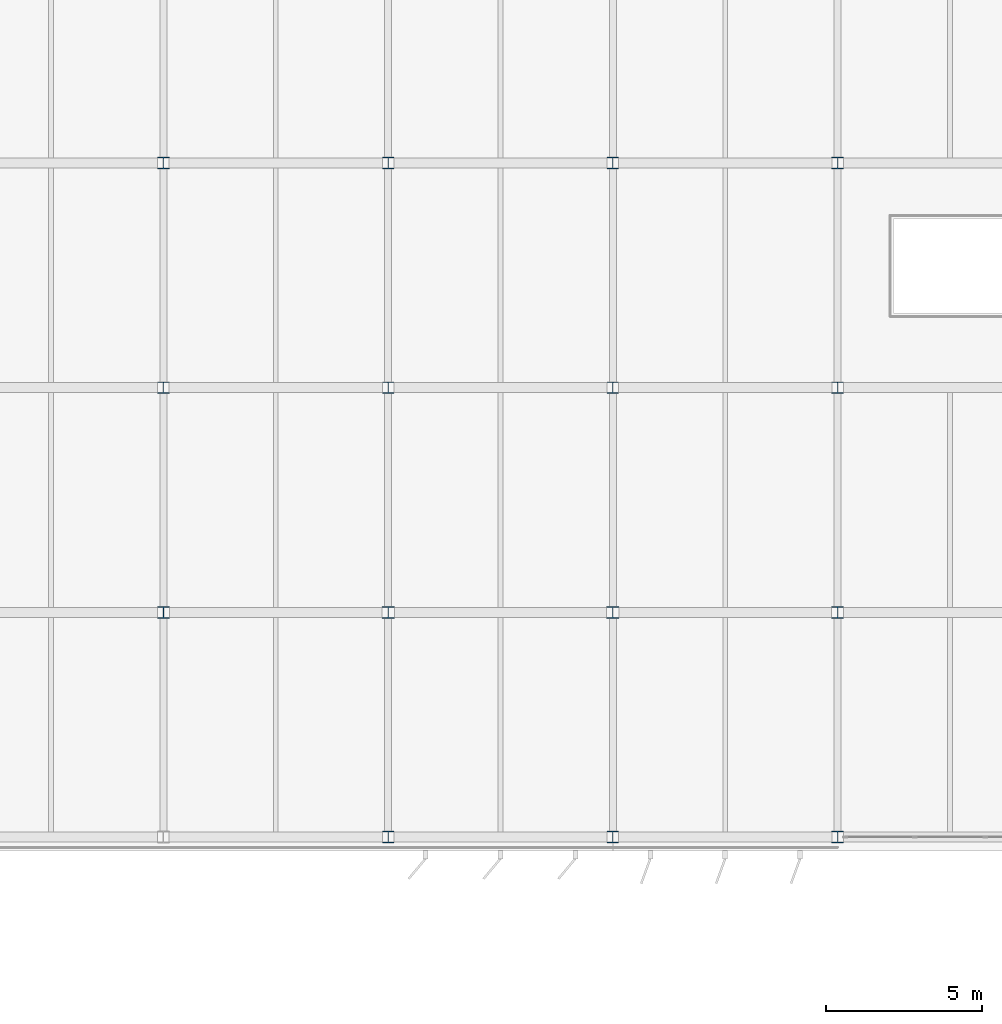
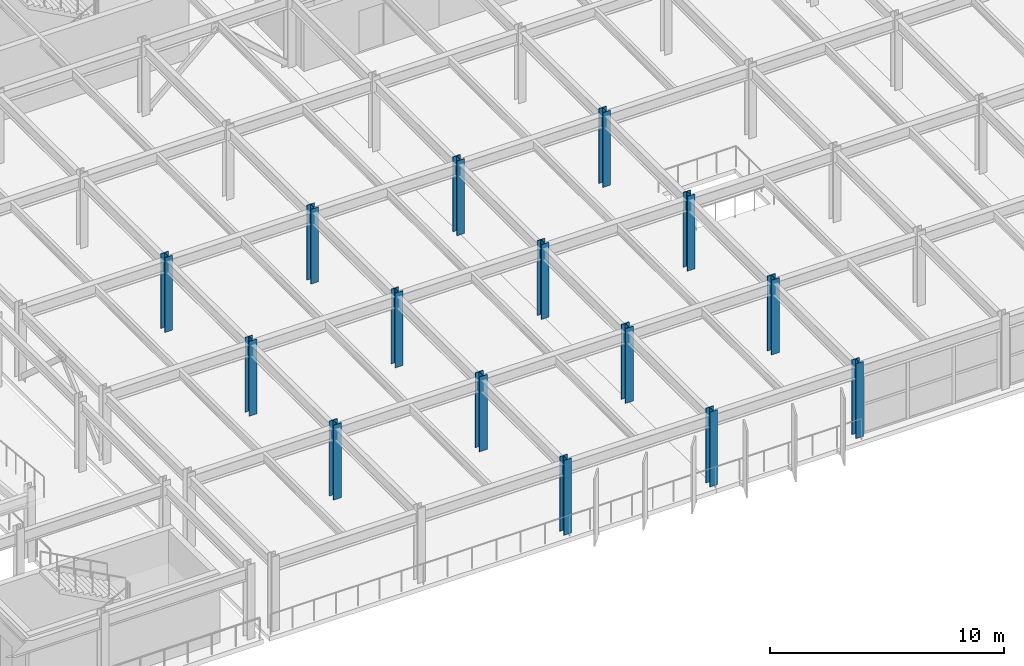
# One storey, part 2 of 80: 15 columns.
"""IFC4 building model written with IfcOpenShell, lengths in metres."""

from ifc_helpers import new_model, si_unit, direction, frame, origin, origin_2d, place, context, subcontext, project, spatial, i_section, extrude, material, material_profile, profile_set, type_object, element, save


model = new_model("IFC4")

# Units and contexts
model_context = context("Model", 3, precision=1e-05, world=origin(), true_north=direction((0.0, 1.0)))
body_context = subcontext(model_context, "Body", "Model", "MODEL_VIEW")
ifc_project = project(units=[si_unit("LENGTHUNIT", "METRE"), si_unit("AREAUNIT", "SQUARE_METRE"), si_unit("VOLUMEUNIT", "CUBIC_METRE"), si_unit("PLANEANGLEUNIT", "RADIAN"), si_unit("MASSUNIT", "GRAM", prefix="KILO")], contexts=[model_context])

# Site, building, storey
site_placement = place(None, origin())
site = spatial("IfcSite", under=ifc_project, at=site_placement, CompositionType="ELEMENT")
building_placement = place(site_placement, origin())
building = spatial("IfcBuilding", under=site, at=building_placement, Name="Vaelcorin Mobility Hub", CompositionType="ELEMENT")
storey_placement = place(building_placement, frame((0.0, 0.0, 9.300048828125)))
storey = spatial("IfcBuildingStorey", under=building, at=storey_placement, Name="L02", CompositionType="ELEMENT", Elevation=9.300048828125)

# Columns
ifc_material = material(Name="Steel ASTM A992 Grade 50", Category="steel")
ifc_material_profile_1 = material_profile(ifc_material, i_section(OverallWidth=0.373046875, OverallDepth=0.373046875, WebThickness=0.016357421875, FlangeThickness=0.026123046875, FilletRadius=0.014892578125, at=origin_2d()), Name="W14X132")
ifc_profile_set_1 = profile_set([ifc_material_profile_1], Name="Steel ASTM A992 Grade 50")
column_type_1 = type_object("IfcColumnType", Name="COL-W14X132", PredefinedType="COLUMN", material=ifc_profile_set_1)
for number, where, z_axis, x_axis, name in (
    (1, (43.199951171875, 91.199951171875, 0.0), (0.0, 0.0, 1.0), (1.0, 0.0, 0.0), "Column V4-X02Y03 L02"),
    (2, (43.199951171875, 98.39990234375, 0.0), (0.0, 0.0, 1.0), (1.0, 0.0, 0.0), "Column V4-X02Y04 L02"),
    (3, (50.39990234375, 76.800048828125, 0.0), (0.0, 0.0, 1.0), (1.0, 0.0, 0.0), "Column V4-X03Y01 L02"),
    (4, (50.39990234375, 91.199951171875, 0.0), (0.0, 0.0, 1.0), (1.0, 0.0, 0.0), "Column V4-X03Y03 L02"),
    (5, (50.39990234375, 98.39990234375, 0.0), (0.0, 0.0, 1.0), (1.0, 0.0, 0.0), "Column V4-X03Y04 L02"),
    (6, (57.60009765625, 76.800048828125, 0.0), (0.0, 0.0, 1.0), (1.0, 0.0, 0.0), "Column V4-X04Y01 L02"),
    (7, (57.60009765625, 91.199951171875, 0.0), (0.0, 0.0, 1.0), (1.0, 0.0, 0.0), "Column V4-X04Y03 L02"),
    (8, (57.60009765625, 98.39990234375, 0.0), (0.0, 0.0, 1.0), (1.0, 0.0, 0.0), "Column V4-X04Y04 L02"),
    (9, (64.800048828125, 76.800048828125, 0.0), (0.0, 0.0, 1.0), (1.0, 0.0, 0.0), "Column V4-X05Y01 L02"),
    (10, (64.800048828125, 91.199951171875, 0.0), (0.0, 0.0, 1.0), (1.0, 0.0, 0.0), "Column V4-X05Y03 L02"),
    (11, (64.800048828125, 98.39990234375, 0.0), (0.0, 0.0, 1.0), (1.0, 0.0, 0.0), "Column V4-X05Y04 L02"),
):
    element("IfcColumn", number, at=place(storey_placement, frame(where, z_axis=z_axis, x_axis=x_axis)), inside=storey, type_object=column_type_1, Name=name, PredefinedType="COLUMN", context=body_context, shape_type="SweptSolid", body=[
        extrude(i_section(OverallWidth=0.373046875, OverallDepth=0.373046875, WebThickness=0.016357421875, FlangeThickness=0.026123046875, FilletRadius=0.014892578125, at=origin_2d()), origin(), (0.0, 0.0, 1.0), 3.89990234375),
    ])
ifc_material_profile_2 = material_profile(ifc_material, i_section(OverallWidth=0.39599609375, OverallDepth=0.381103515625, WebThickness=0.018798828125, FlangeThickness=0.0302734375, FilletRadius=0.014892578125, at=origin_2d()), Name="W14X159")
ifc_profile_set_2 = profile_set([ifc_material_profile_2], Name="Steel ASTM A992 Grade 50")
column_type_2 = type_object("IfcColumnType", Name="COL-W14X159", PredefinedType="COLUMN", material=ifc_profile_set_2)
for number, where, z_axis, x_axis, name in (
    (12, (43.199951171875, 84.0, 0.0), (0.0, 0.0, 1.0), (1.0, 0.0, 0.0), "Column V4-X02Y02 L02"),
    (13, (50.39990234375, 84.0, 0.0), (0.0, 0.0, 1.0), (1.0, 0.0, 0.0), "Column V4-X03Y02 L02"),
    (14, (57.60009765625, 84.0, 0.0), (0.0, 0.0, 1.0), (1.0, 0.0, 0.0), "Column V4-X04Y02 L02"),
    (15, (64.800048828125, 84.0, 0.0), (0.0, 0.0, 1.0), (1.0, 0.0, 0.0), "Column V4-X05Y02 L02"),
):
    element("IfcColumn", number, at=place(storey_placement, frame(where, z_axis=z_axis, x_axis=x_axis)), inside=storey, type_object=column_type_2, Name=name, PredefinedType="COLUMN", context=body_context, shape_type="SweptSolid", body=[
        extrude(i_section(OverallWidth=0.39599609375, OverallDepth=0.381103515625, WebThickness=0.018798828125, FlangeThickness=0.0302734375, FilletRadius=0.014892578125, at=origin_2d()), origin(), (0.0, 0.0, 1.0), 3.89990234375),
    ])

save(model, "model.ifc")
